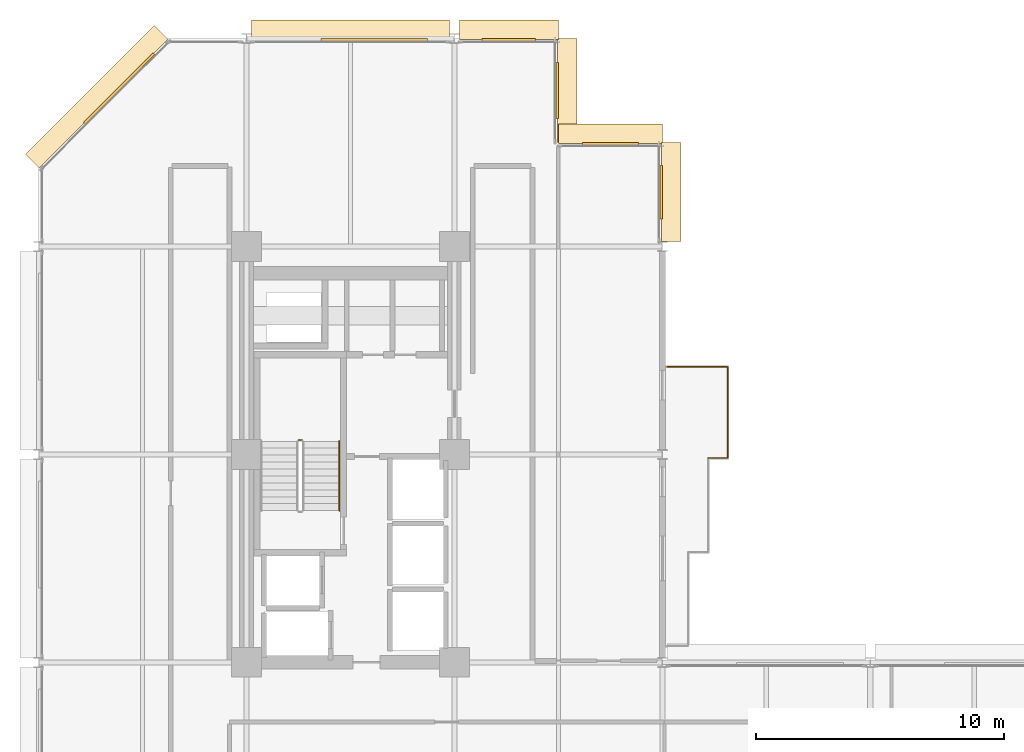
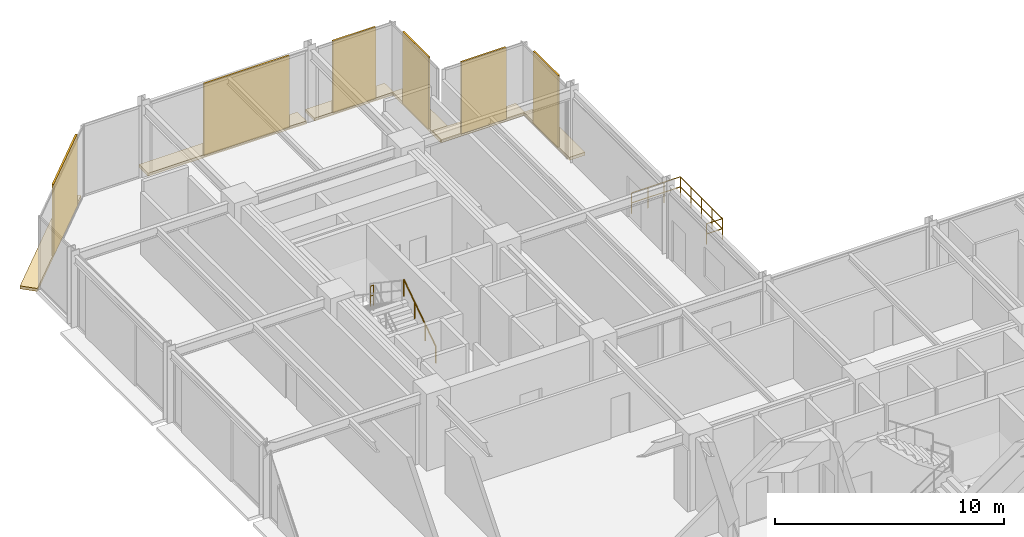
# One storey, part 30 of 30: 12 coverings, 5 railings.
"""IFC4 building model written with IfcOpenShell, lengths in metres."""

import ifcopenshell
import ifcopenshell.guid

model = None  # the IFC model being written
_history = None  # IfcOwnerHistory: only IFC2X3 demands one
_inside = {}  # id of a spatial element -> (the spatial element, [elements in it])
_under = {}  # id of a project, library or spatial element -> (it, [spatial elements below it])
_declared = {}  # id of a project -> (the project, [libraries it declares])
_typed = {}  # id of a type object -> (the type object, [elements of that type])
_made_of = {}  # id of a material, layer set ... -> (it, [elements and type objects made of it])


def new_model(schema):
    """Start an empty IFC model of exactly this schema.

    Asked for "IFC4X3", IfcOpenShell would pick the latest addendum, in which some entities
    have other attributes; the version numbers below select the first issue.
    IFC2X3 requires an IfcOwnerHistory on every rooted entity: one is made here for all.
    """
    global model, _history
    if schema == "IFC4X3":
        model = ifcopenshell.file(schema_version=(4, 3, 0, 0))
    else:
        model = ifcopenshell.file(schema=schema)
    _inside.clear()
    _under.clear()
    _declared.clear()
    _typed.clear()
    _made_of.clear()
    _history = None
    if model.schema == "IFC2X3":
        org = make("IfcOrganization", Name="unknown")
        user = make(
            "IfcPersonAndOrganization",
            ThePerson=make("IfcPerson", FamilyName="unknown"),
            TheOrganization=org,
        )
        app = make(
            "IfcApplication",
            ApplicationDeveloper=org,
            Version="unknown",
            ApplicationFullName="unknown",
            ApplicationIdentifier="unknown",
        )
        _history = make(
            "IfcOwnerHistory",
            OwningUser=user,
            OwningApplication=app,
            ChangeAction="ADDED",
            CreationDate=0,
        )
    return model


def make(cls, **values):
    """One entity of the class cls with the attributes given. An attribute that is None is left unset."""
    return model.create_entity(
        cls, **{name: value for name, value in values.items() if value is not None}
    )


def rooted(cls, **values):
    """An entity with a GlobalId (a new one), such as an element, a storey or a relation."""
    return make(cls, GlobalId=ifcopenshell.guid.new(), OwnerHistory=_history, **values)


def si_unit(unit_type, name, prefix=None):
    """IfcSIUnit, for example si_unit("LENGTHUNIT", "METRE", prefix="MILLI")."""
    return make("IfcSIUnit", UnitType=unit_type, Prefix=prefix, Name=name)


def assignment(units):
    """IfcUnitAssignment: the units of a project."""
    return None if units is None else make("IfcUnitAssignment", Units=units)


def point(xyz):
    """IfcCartesianPoint."""
    return None if xyz is None else make("IfcCartesianPoint", Coordinates=xyz)


def direction(xyz):
    """IfcDirection."""
    return None if xyz is None else make("IfcDirection", DirectionRatios=xyz)


def frame(location, z_axis=None, x_axis=None):
    """IfcAxis2Placement3D, a coordinate frame: its origin and axes. An axis left out is left unset."""
    return make(
        "IfcAxis2Placement3D",
        Location=point(location),
        Axis=direction(z_axis),
        RefDirection=direction(x_axis),
    )


def frame_2d(location, x_axis=None):
    """IfcAxis2Placement2D, a coordinate frame in the plane: its origin and x axis."""
    return make(
        "IfcAxis2Placement2D", Location=point(location), RefDirection=direction(x_axis)
    )


def origin():
    """The frame at (0, 0, 0) with its axes left unset."""
    return frame((0.0, 0.0, 0.0))


def origin_2d():
    """The frame at (0, 0) in the plane with its x axis left unset."""
    return frame_2d((0.0, 0.0))


def place(relative_to, where):
    """IfcLocalPlacement: puts the frame where relative to a parent placement (None: the world)."""
    return make(
        "IfcLocalPlacement", PlacementRelTo=relative_to, RelativePlacement=where
    )


def context(
    kind, dimensions, precision=None, world=None, true_north=None, identifier=None
):
    """IfcGeometricRepresentationContext, for example the 3D "Model" context."""
    return make(
        "IfcGeometricRepresentationContext",
        ContextIdentifier=identifier,
        ContextType=kind,
        CoordinateSpaceDimension=dimensions,
        Precision=precision,
        WorldCoordinateSystem=world,
        TrueNorth=true_north,
    )


def subcontext(parent, identifier, kind, view, scale=None):
    """IfcGeometricRepresentationSubContext, for example "Body" below "Model"."""
    return make(
        "IfcGeometricRepresentationSubContext",
        ContextIdentifier=identifier,
        ContextType=kind,
        ParentContext=parent,
        TargetScale=scale,
        TargetView=view,
    )


def project(units=None, contexts=None):
    """IfcProject with its units and contexts."""
    return rooted(
        "IfcProject",
        Name="project",
        RepresentationContexts=contexts,
        UnitsInContext=assignment(units),
    )


def spatial(cls, under=None, at=None, **own):
    """A site, building, storey or space (cls), placed at a placement, below another one or the project."""
    s = rooted(cls, ObjectPlacement=at, **own)
    if under is not None:
        _under.setdefault(under.id(), (under, []))[1].append(s)
    return s


def polyline(points):
    """IfcPolyline through the points."""
    return make("IfcPolyline", Points=[point(p) for p in points])


def profile(cls, at=None, kind="AREA", **sizes):
    """A parametric profile (cls). Its sizes go by their IFC names, for example OverallWidth=200.0."""
    return make(cls, ProfileType=kind, Position=at, **sizes)


def rectangle(**sizes):
    """IfcRectangleProfileDef."""
    return profile("IfcRectangleProfileDef", **sizes)


def circle(**sizes):
    """IfcCircleProfileDef."""
    return profile("IfcCircleProfileDef", **sizes)


def outline(outer, holes=None, kind="AREA"):
    """IfcArbitraryClosedProfileDef: a profile drawn as a closed curve; with holes, ...WithVoids."""
    if holes is None:
        return make("IfcArbitraryClosedProfileDef", ProfileType=kind, OuterCurve=outer)
    return make(
        "IfcArbitraryProfileDefWithVoids",
        ProfileType=kind,
        OuterCurve=outer,
        InnerCurves=holes,
    )


def extrude(swept, where, along, depth):
    """IfcExtrudedAreaSolid: the profile swept, set in the frame where, extruded along a direction by depth."""
    return make(
        "IfcExtrudedAreaSolid",
        SweptArea=swept,
        Position=where,
        ExtrudedDirection=direction(along),
        Depth=depth,
    )


def shape(context_of_items, identifier, shape_type, items):
    """IfcShapeRepresentation: the items that make up one representation, for example the "Body"."""
    return make(
        "IfcShapeRepresentation",
        ContextOfItems=context_of_items,
        RepresentationIdentifier=identifier,
        RepresentationType=shape_type,
        Items=items,
    )


def material(Name=None, Category=None):
    """IfcMaterial."""
    return make("IfcMaterial", Name=Name, Category=Category)


def layer(
    of_material, thickness, ventilated=None, Name=None, Category=None, Priority=None
):
    """IfcMaterialLayer: one layer of a wall or slab, of a material (None: an air gap)."""
    return make(
        "IfcMaterialLayer",
        Material=of_material,
        LayerThickness=thickness,
        IsVentilated=ventilated,
        Name=Name,
        Category=Category,
        Priority=Priority,
    )


def layer_set(layers, Name=None):
    """IfcMaterialLayerSet."""
    return make("IfcMaterialLayerSet", MaterialLayers=layers, LayerSetName=Name)


def made_of(thing, what):
    """Note that an element or type object is made of a material, layer set ...; save() writes the relation."""
    if what is not None:
        _made_of.setdefault(what.id(), (what, []))[1].append(thing)
    return thing


def type_object(cls, material=None, **own):
    """A type object (cls), such as IfcWallType, which elements share."""
    return made_of(rooted(cls, **own), material)


def element(
    cls,
    number,
    at=None,
    inside=None,
    cuts=None,
    type_object=None,
    material=None,
    context=None,
    identifier="Body",
    shape_type=None,
    held_by="IfcProductDefinitionShape",
    body=None,
    shapes=None,
    **own,
):
    """One element of the class cls, such as IfcWall. Its Tag is "e" and its number.

    at: its placement. inside: the storey or other place that contains it. cuts: it is an
    opening in that element (IfcRelVoidsElement). A single representation is given by context,
    identifier, shape_type and body (its items); several are given by shapes. held_by: the class
    of the entity that holds the representations. save() writes the other relations.
    """
    e = rooted(cls, Tag="e%d" % number, ObjectPlacement=at, **own)
    if body is not None:
        shapes = [shape(context, identifier, shape_type, body)]
    if shapes is not None:
        e.Representation = make(held_by, Representations=shapes)
    if inside is not None:
        _inside.setdefault(inside.id(), (inside, []))[1].append(e)
    if cuts is not None:
        rooted(
            "IfcRelVoidsElement", RelatingBuildingElement=cuts, RelatedOpeningElement=e
        )
    if type_object is not None:
        _typed.setdefault(type_object.id(), (type_object, []))[1].append(e)
    return made_of(e, material)


def aggregate(whole, parts):
    """IfcRelAggregates: a whole, such as a stair, and the parts it consists of."""
    return rooted("IfcRelAggregates", RelatingObject=whole, RelatedObjects=parts)


def save(model, path):
    """Write the relations noted so far, then the file.

    IfcRelAggregates (storeys below a building ...), IfcRelContainedInSpatialStructure (elements
    in a storey), IfcRelDefinesByType, IfcRelAssociatesMaterial and IfcRelDeclares: one each for
    every whole, place, type object, material and project.
    """
    for whole, parts in _under.values():
        aggregate(whole, parts)
    for where, things in _inside.values():
        rooted(
            "IfcRelContainedInSpatialStructure",
            RelatedElements=things,
            RelatingStructure=where,
        )
    for kind, things in _typed.values():
        rooted("IfcRelDefinesByType", RelatedObjects=things, RelatingType=kind)
    for what, things in _made_of.values():
        rooted("IfcRelAssociatesMaterial", RelatedObjects=things, RelatingMaterial=what)
    for by, libraries in _declared.values():
        rooted("IfcRelDeclares", RelatingContext=by, RelatedDefinitions=libraries)
    model.write(path)


model = new_model("IFC4")

# Units and contexts
model_context = context("Model", 3, precision=1e-05, world=origin(), true_north=direction((0.0, 1.0)))
body_context = subcontext(model_context, "Body", "Model", "MODEL_VIEW")
ifc_project = project(units=[si_unit("LENGTHUNIT", "METRE"), si_unit("AREAUNIT", "SQUARE_METRE"), si_unit("VOLUMEUNIT", "CUBIC_METRE"), si_unit("PLANEANGLEUNIT", "RADIAN"), si_unit("MASSUNIT", "GRAM", prefix="KILO")], contexts=[model_context])

# Site, building, storey
site_placement = place(None, origin())
site = spatial("IfcSite", under=ifc_project, at=site_placement, CompositionType="ELEMENT")
building_placement = place(site_placement, origin())
building = spatial("IfcBuilding", under=site, at=building_placement, Name="Nerrivon Quay Data Exchange", CompositionType="ELEMENT")
storey_placement = place(building_placement, frame((0.0, 0.0, 117.199951171875)))
storey = spatial("IfcBuildingStorey", under=building, at=storey_placement, Name="L27", CompositionType="ELEMENT", Elevation=117.199951171875)

# Coverings
ifc_material_1 = material(Name="Architectural terracotta ceramic", Category="masonry")
ifc_layer_1 = layer(ifc_material_1, 0.159912109375)
ifc_layer_set_1 = layer_set([ifc_layer_1], Name="Architectural terracotta ceramic")
covering_type_1 = type_object("IfcCoveringType", Name="COV-BLD-TERR", PredefinedType="CLADDING", material=ifc_layer_set_1)
covering_1_placement = place(storey_placement, frame((0.0, 0.0, -0.159912109375)))
element("IfcCovering", 1, at=covering_1_placement, inside=storey, type_object=covering_type_1, Name="L27 Horizontal Terracotta SOLAR SCREEN Blade", PredefinedType="CLADDING", context=body_context, shape_type="SweptSolid", body=[
    extrude(outline(polyline([(0.0283203125, 45.171630859375), (5.228271484375, 50.37158203125), (4.669677734375, 50.930419921875), (-0.5302734375, 45.730224609375), (0.0283203125, 45.171630859375)])), origin(), (0.0, 0.0, 1.0), 0.159912109375),
])
covering_2_placement = place(storey_placement, frame((0.0, 0.0, -0.159912109375)))
element("IfcCovering", 2, at=covering_2_placement, inside=storey, type_object=covering_type_1, Name="L27 Horizontal Terracotta SOLAR SCREEN Blade", PredefinedType="CLADDING", context=body_context, shape_type="SweptSolid", body=[
    extrude(outline(polyline([(8.60009765625, 50.360107421875), (16.60009765625, 50.360107421875), (16.60009765625, 51.14990234375), (8.60009765625, 51.14990234375), (8.60009765625, 50.360107421875)])), origin(), (0.0, 0.0, 1.0), 0.159912109375),
])
covering_3_placement = place(storey_placement, frame((0.0, 0.0, -0.159912109375)))
element("IfcCovering", 3, at=covering_3_placement, inside=storey, type_object=covering_type_1, Name="L27 Horizontal Terracotta SOLAR SCREEN Blade", PredefinedType="CLADDING", context=body_context, shape_type="SweptSolid", body=[
    extrude(outline(polyline([(17.0, 50.360107421875), (21.0, 50.360107421875), (21.0, 51.14990234375), (17.0, 51.14990234375), (17.0, 50.360107421875)])), origin(), (0.0, 0.0, 1.0), 0.159912109375),
])
covering_4_placement = place(storey_placement, frame((0.0, 0.0, -0.159912109375)))
element("IfcCovering", 4, at=covering_4_placement, inside=storey, type_object=covering_type_1, Name="L27 Horizontal Terracotta SOLAR SCREEN Blade", PredefinedType="CLADDING", context=body_context, shape_type="SweptSolid", body=[
    extrude(outline(polyline([(20.9599609375, 50.39990234375), (20.9599609375, 46.199951171875), (21.75, 46.199951171875), (21.75, 50.39990234375), (20.9599609375, 50.39990234375)])), origin(), (0.0, 0.0, 1.0), 0.159912109375),
])
covering_5_placement = place(storey_placement, frame((0.0, 0.0, -0.159912109375)))
element("IfcCovering", 5, at=covering_5_placement, inside=storey, type_object=covering_type_1, Name="L27 Horizontal Terracotta SOLAR SCREEN Blade", PredefinedType="CLADDING", context=body_context, shape_type="SweptSolid", body=[
    extrude(outline(polyline([(21.0, 46.159912109375), (25.199951171875, 46.159912109375), (25.199951171875, 46.949951171875), (21.0, 46.949951171875), (21.0, 46.159912109375)])), origin(), (0.0, 0.0, 1.0), 0.159912109375),
])
covering_6_placement = place(storey_placement, frame((0.0, 0.0, -0.159912109375)))
element("IfcCovering", 6, at=covering_6_placement, inside=storey, type_object=covering_type_1, Name="L27 Horizontal Terracotta SOLAR SCREEN Blade", PredefinedType="CLADDING", context=body_context, shape_type="SweptSolid", body=[
    extrude(outline(polyline([(25.159912109375, 46.199951171875), (25.159912109375, 42.199951171875), (25.949951171875, 42.199951171875), (25.949951171875, 46.199951171875), (25.159912109375, 46.199951171875)])), origin(), (0.0, 0.0, 1.0), 0.159912109375),
])
ifc_layer_2 = layer(ifc_material_1, 0.090087890625)
ifc_layer_set_2 = layer_set([ifc_layer_2], Name="Architectural terracotta ceramic")
covering_type_2 = type_object("IfcCoveringType", Name="COV-SCR-TERR", PredefinedType="CLADDING", material=ifc_layer_set_2)
covering_7_placement = place(storey_placement, frame((3.255859375, 48.39208984375, 0.0), z_axis=(0.0, 0.0, 1.0), x_axis=(0.707106781187, 0.707106781187, 0.0)))
element("IfcCovering", 7, at=covering_7_placement, inside=storey, type_object=covering_type_2, Name="L27 Perforated Terracotta SOLAR SCREEN Cassette", PredefinedType="CLADDING", context=body_context, shape_type="SweptSolid", body=[
    extrude(rectangle(XDim=3.970947265625, YDim=0.090087890625, at=origin_2d()), origin(), (0.0, 0.0, 1.0), 3.824951171875),
])
covering_8_placement = place(storey_placement, frame((13.56005859375, 50.35498046875, 0.0), z_axis=(0.0, 0.0, 1.0), x_axis=(1.0, 0.0, 0.0)))
element("IfcCovering", 8, at=covering_8_placement, inside=storey, type_object=covering_type_2, Name="L27 Perforated Terracotta SOLAR SCREEN Cassette", PredefinedType="CLADDING", context=body_context, shape_type="SweptSolid", body=[
    extrude(rectangle(XDim=4.320068359375, YDim=0.090087890625, at=origin_2d()), origin(), (0.0, 0.0, 1.0), 3.824951171875),
])
covering_9_placement = place(storey_placement, frame((19.0, 50.35498046875, 0.0), z_axis=(0.0, 0.0, 1.0), x_axis=(1.0, 0.0, 0.0)))
element("IfcCovering", 9, at=covering_9_placement, inside=storey, type_object=covering_type_2, Name="L27 Perforated Terracotta SOLAR SCREEN Cassette", PredefinedType="CLADDING", context=body_context, shape_type="SweptSolid", body=[
    extrude(rectangle(XDim=2.159912109375, YDim=0.090087890625, at=origin_2d()), origin(), (0.0, 0.0, 1.0), 3.824951171875),
])
for number, where, z_axis, x_axis, name in (
    (10, (20.955078125, 48.300048828125, 0.0), (0.0, 0.0, 1.0), (0.0, -1.0, 0.0), "L27 Perforated Terracotta SOLAR SCREEN Cassette"),
    (11, (23.10009765625, 46.155029296875, 0.0), (0.0, 0.0, 1.0), (1.0, 0.0, 0.0), "L27 Perforated Terracotta SOLAR SCREEN Cassette"),
):
    element("IfcCovering", number, at=place(storey_placement, frame(where, z_axis=z_axis, x_axis=x_axis)), inside=storey, type_object=covering_type_2, Name=name, PredefinedType="CLADDING", context=body_context, shape_type="SweptSolid", body=[
        extrude(rectangle(XDim=2.26806640625, YDim=0.090087890625, at=origin_2d()), origin(), (0.0, 0.0, 1.0), 3.824951171875),
    ])
covering_10_placement = place(storey_placement, frame((25.155029296875, 44.199951171875, 0.0), z_axis=(0.0, 0.0, 1.0), x_axis=(0.0, -1.0, 0.0)))
element("IfcCovering", 12, at=covering_10_placement, inside=storey, type_object=covering_type_2, Name="L27 Perforated Terracotta SOLAR SCREEN Cassette", PredefinedType="CLADDING", context=body_context, shape_type="SweptSolid", body=[
    extrude(rectangle(XDim=2.159912109375, YDim=0.090087890625, at=origin_2d()), origin(), (0.0, 0.0, 1.0), 3.824951171875),
])

# Railings
ifc_material_2 = material(Name="Steel Grade C350L0 (350 MPa)", Category="steel")
railing_type_1 = type_object("IfcRailingType", Name="RAIL-GUARD-GR2", PredefinedType="BALUSTRADE", material=ifc_material_2)
railing_1_placement = place(storey_placement, frame((25.3798828125, 37.139892578125, 0.0)))
element("IfcRailing", 13, at=railing_1_placement, inside=storey, type_object=railing_type_1, Name="L27 Verandah Balcony Guard 1.3 1", PredefinedType="BALUSTRADE", context=body_context, shape_type="SweptSolid", body=[
    extrude(circle(Radius=0.02392578125, at=origin_2d()), frame((0.0, 0.0, 1.09619140625), z_axis=(1.0, 0.0, 0.0), x_axis=(0.0, 1.0, 0.0)), (0.0, 0.0, 1.0), 2.460205078125),
    extrude(circle(Radius=0.02392578125, at=origin_2d()), frame((0.0, 0.0, 0.56005859375), z_axis=(1.0, 0.0, 0.0), x_axis=(0.0, 1.0, 0.0)), (0.0, 0.0, 1.0), 2.460205078125),
    extrude(circle(Radius=0.02099609375, at=origin_2d()), origin(), (0.0, 0.0, 1.0), 1.072021484375),
    extrude(circle(Radius=0.02099609375, at=origin_2d()), frame((0.820068359375, 0.0, 0.0)), (0.0, 0.0, 1.0), 1.072021484375),
    extrude(circle(Radius=0.02099609375, at=origin_2d()), frame((1.64013671875, 0.0, 0.0)), (0.0, 0.0, 1.0), 1.072021484375),
    extrude(circle(Radius=0.02099609375, at=origin_2d()), frame((2.460205078125, 0.0, 0.0)), (0.0, 0.0, 1.0), 1.072021484375),
])
railing_2_placement = place(storey_placement, frame((27.840087890625, 37.139892578125, 0.0)))
element("IfcRailing", 14, at=railing_2_placement, inside=storey, type_object=railing_type_1, Name="L27 Verandah Balcony Guard 1.4 1", PredefinedType="BALUSTRADE", context=body_context, shape_type="SweptSolid", body=[
    extrude(circle(Radius=0.02392578125, at=origin_2d()), frame((0.0, 0.0, 1.09619140625), z_axis=(0.0, -1.0, 0.0), x_axis=(1.0, 0.0, 0.0)), (0.0, 0.0, 1.0), 3.679931640625),
    extrude(circle(Radius=0.02392578125, at=origin_2d()), frame((0.0, 0.0, 0.56005859375), z_axis=(0.0, -1.0, 0.0), x_axis=(1.0, 0.0, 0.0)), (0.0, 0.0, 1.0), 3.679931640625),
    extrude(circle(Radius=0.02099609375, at=origin_2d()), origin(), (0.0, 0.0, 1.0), 1.072021484375),
    extrude(circle(Radius=0.02099609375, at=origin_2d()), frame((0.0, -0.919921875, 0.0)), (0.0, 0.0, 1.0), 1.072021484375),
    extrude(circle(Radius=0.02099609375, at=origin_2d()), frame((0.0, -1.83984375, 0.0)), (0.0, 0.0, 1.0), 1.072021484375),
    extrude(circle(Radius=0.02099609375, at=origin_2d()), frame((0.0, -2.760009765625, 0.0)), (0.0, 0.0, 1.0), 1.072021484375),
    extrude(circle(Radius=0.02099609375, at=origin_2d()), frame((0.0, -3.679931640625, 0.0)), (0.0, 0.0, 1.0), 1.072021484375),
])
railing_3_placement = place(storey_placement, frame((27.840087890625, 33.4599609375, 0.0)))
element("IfcRailing", 15, at=railing_3_placement, inside=storey, type_object=railing_type_1, Name="L27 Verandah Balcony Guard 1.5 1", PredefinedType="BALUSTRADE", context=body_context, shape_type="SweptSolid", body=[
    extrude(circle(Radius=0.02392578125, at=origin_2d()), frame((0.0, 0.0, 1.09619140625), z_axis=(-1.0, 0.0, 0.0), x_axis=(0.0, -1.0, 0.0)), (0.0, 0.0, 1.0), 0.800048828125),
    extrude(circle(Radius=0.02392578125, at=origin_2d()), frame((0.0, 0.0, 0.56005859375), z_axis=(-1.0, 0.0, 0.0), x_axis=(0.0, -1.0, 0.0)), (0.0, 0.0, 1.0), 0.800048828125),
    extrude(circle(Radius=0.02099609375, at=origin_2d()), origin(), (0.0, 0.0, 1.0), 1.072021484375),
    extrude(circle(Radius=0.02099609375, at=origin_2d()), frame((-0.800048828125, 0.0, 0.0)), (0.0, 0.0, 1.0), 1.072021484375),
])
railing_type_2 = type_object("IfcRailingType", Name="RAIL-HAND-HR1", PredefinedType="HANDRAIL", material=ifc_material_2)
railing_4_placement = place(storey_placement, frame((12.14990234375, 31.330078125, 0.1865234375)))
element("IfcRailing", 16, at=railing_4_placement, inside=storey, type_object=railing_type_2, Name="L27 ST01 stair handrail 1", PredefinedType="HANDRAIL", context=body_context, shape_type="SweptSolid", body=[
    extrude(circle(Radius=0.02392578125, at=origin_2d()), frame((0.0, 0.0, 0.8759765625), z_axis=(0.0, 0.832463268671, 0.554080234545), x_axis=(-1.0, 0.0, 0.0)), (0.0, 0.0, 1.0), 3.36328125),
    extrude(circle(Radius=0.02099609375, at=origin_2d()), origin(), (0.0, 0.0, 1.0), 0.851806640625),
    extrude(circle(Radius=0.02099609375, at=origin_2d()), frame((0.0, 0.933349609375, 0.62109375)), (0.0, 0.0, 1.0), 0.851806640625),
    extrude(circle(Radius=0.02099609375, at=origin_2d()), frame((0.0, 1.866455078125, 1.242431640625)), (0.0, 0.0, 1.0), 0.851806640625),
    extrude(circle(Radius=0.02099609375, at=origin_2d()), frame((0.0, 2.7998046875, 1.863525390625)), (0.0, 0.0, 1.0), 0.851806640625),
])
railing_type_3 = type_object("IfcRailingType", Name="RAIL-STAIR-GR1", PredefinedType="BALUSTRADE", material=ifc_material_2)
railing_5_placement = place(storey_placement, frame((10.64990234375, 34.179931640625, 2.050048828125)))
element("IfcRailing", 17, at=railing_5_placement, inside=storey, type_object=railing_type_3, Name="L27 ST01 stair guard 2", PredefinedType="BALUSTRADE", context=body_context, shape_type="SweptSolid", body=[
    extrude(circle(Radius=0.02392578125, at=origin_2d()), frame((0.0, 0.0, 1.076171875), z_axis=(-1.0, 0.0, 0.0), x_axis=(0.0, -1.0, 0.0)), (0.0, 0.0, 1.0), 0.14990234375),
    extrude(circle(Radius=0.02392578125, at=origin_2d()), frame((0.0, 0.0, 0.550048828125), z_axis=(-1.0, 0.0, 0.0), x_axis=(0.0, -1.0, 0.0)), (0.0, 0.0, 1.0), 0.14990234375),
    extrude(circle(Radius=0.02099609375, at=origin_2d()), origin(), (0.0, 0.0, 1.0), 1.052001953125),
    extrude(circle(Radius=0.02099609375, at=origin_2d()), frame((-0.14990234375, 0.0, 0.0)), (0.0, 0.0, 1.0), 1.052001953125),
])

save(model, "model.ifc")
